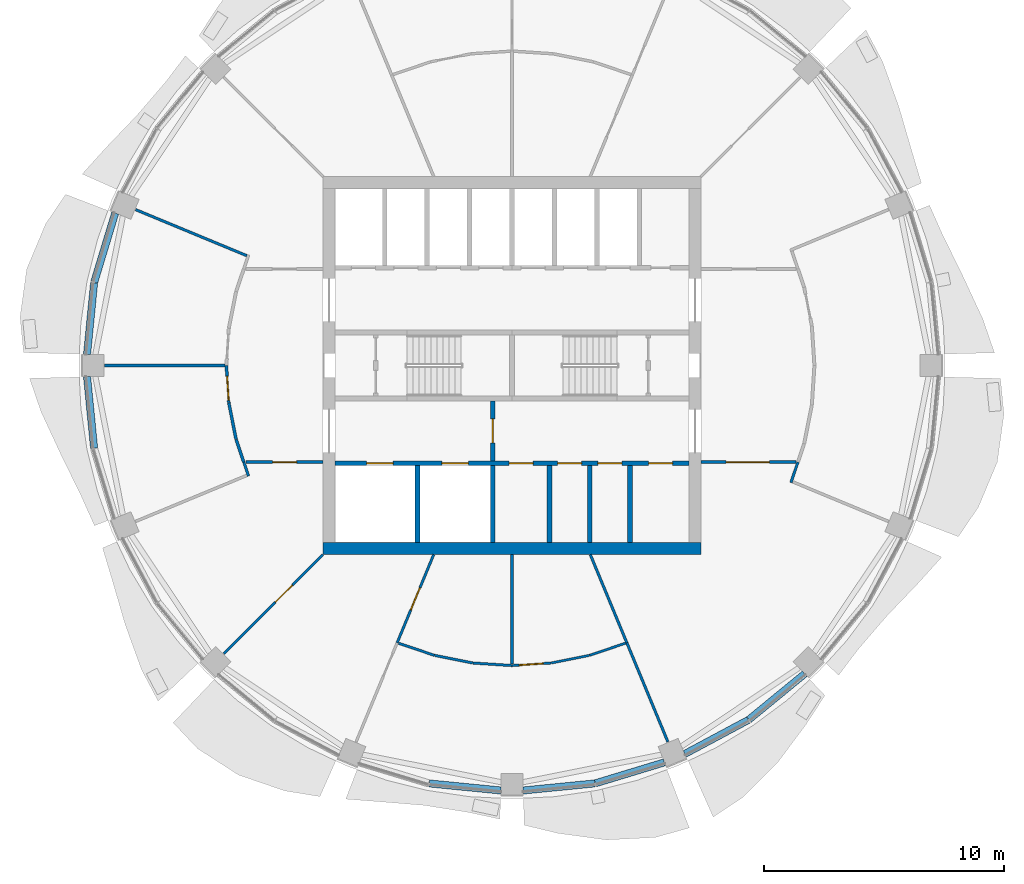
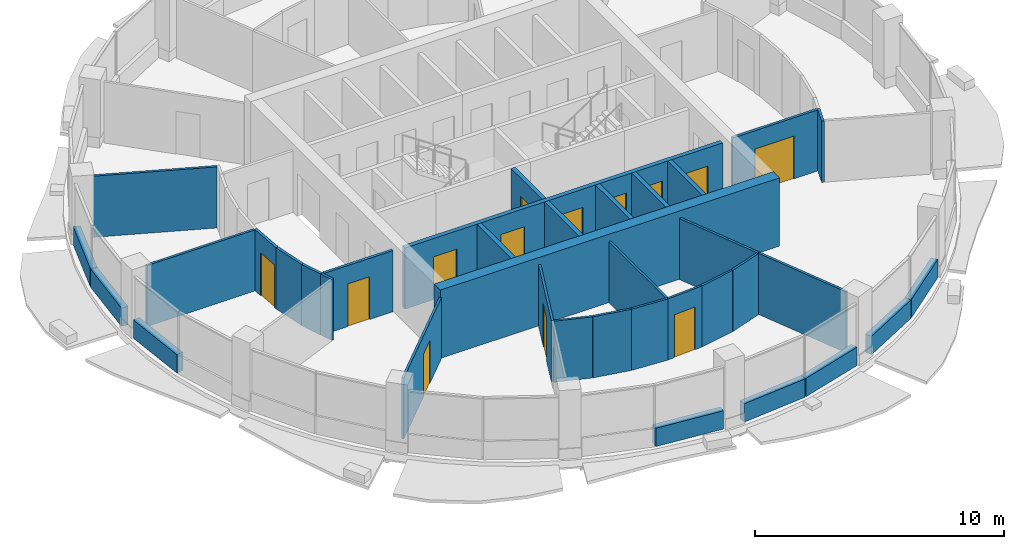
# One storey, part 8 of 15: 36 walls, 13 doors, 13 openings.
"""IFC4 building model written with IfcOpenShell, lengths in metres."""

import ifcopenshell
import ifcopenshell.guid

model = None  # the IFC model being written
_history = None  # IfcOwnerHistory: only IFC2X3 demands one
_inside = {}  # id of a spatial element -> (the spatial element, [elements in it])
_under = {}  # id of a project, library or spatial element -> (it, [spatial elements below it])
_declared = {}  # id of a project -> (the project, [libraries it declares])
_typed = {}  # id of a type object -> (the type object, [elements of that type])
_made_of = {}  # id of a material, layer set ... -> (it, [elements and type objects made of it])


def new_model(schema):
    """Start an empty IFC model of exactly this schema.

    Asked for "IFC4X3", IfcOpenShell would pick the latest addendum, in which some entities
    have other attributes; the version numbers below select the first issue.
    IFC2X3 requires an IfcOwnerHistory on every rooted entity: one is made here for all.
    """
    global model, _history
    if schema == "IFC4X3":
        model = ifcopenshell.file(schema_version=(4, 3, 0, 0))
    else:
        model = ifcopenshell.file(schema=schema)
    _inside.clear()
    _under.clear()
    _declared.clear()
    _typed.clear()
    _made_of.clear()
    _history = None
    if model.schema == "IFC2X3":
        org = make("IfcOrganization", Name="unknown")
        user = make(
            "IfcPersonAndOrganization",
            ThePerson=make("IfcPerson", FamilyName="unknown"),
            TheOrganization=org,
        )
        app = make(
            "IfcApplication",
            ApplicationDeveloper=org,
            Version="unknown",
            ApplicationFullName="unknown",
            ApplicationIdentifier="unknown",
        )
        _history = make(
            "IfcOwnerHistory",
            OwningUser=user,
            OwningApplication=app,
            ChangeAction="ADDED",
            CreationDate=0,
        )
    return model


def make(cls, **values):
    """One entity of the class cls with the attributes given. An attribute that is None is left unset."""
    return model.create_entity(
        cls, **{name: value for name, value in values.items() if value is not None}
    )


def rooted(cls, **values):
    """An entity with a GlobalId (a new one), such as an element, a storey or a relation."""
    return make(cls, GlobalId=ifcopenshell.guid.new(), OwnerHistory=_history, **values)


def si_unit(unit_type, name, prefix=None):
    """IfcSIUnit, for example si_unit("LENGTHUNIT", "METRE", prefix="MILLI")."""
    return make("IfcSIUnit", UnitType=unit_type, Prefix=prefix, Name=name)


def assignment(units):
    """IfcUnitAssignment: the units of a project."""
    return None if units is None else make("IfcUnitAssignment", Units=units)


def point(xyz):
    """IfcCartesianPoint."""
    return None if xyz is None else make("IfcCartesianPoint", Coordinates=xyz)


def direction(xyz):
    """IfcDirection."""
    return None if xyz is None else make("IfcDirection", DirectionRatios=xyz)


def frame(location, z_axis=None, x_axis=None):
    """IfcAxis2Placement3D, a coordinate frame: its origin and axes. An axis left out is left unset."""
    return make(
        "IfcAxis2Placement3D",
        Location=point(location),
        Axis=direction(z_axis),
        RefDirection=direction(x_axis),
    )


def frame_2d(location, x_axis=None):
    """IfcAxis2Placement2D, a coordinate frame in the plane: its origin and x axis."""
    return make(
        "IfcAxis2Placement2D", Location=point(location), RefDirection=direction(x_axis)
    )


def origin():
    """The frame at (0, 0, 0) with its axes left unset."""
    return frame((0.0, 0.0, 0.0))


def place(relative_to, where):
    """IfcLocalPlacement: puts the frame where relative to a parent placement (None: the world)."""
    return make(
        "IfcLocalPlacement", PlacementRelTo=relative_to, RelativePlacement=where
    )


def context(
    kind, dimensions, precision=None, world=None, true_north=None, identifier=None
):
    """IfcGeometricRepresentationContext, for example the 3D "Model" context."""
    return make(
        "IfcGeometricRepresentationContext",
        ContextIdentifier=identifier,
        ContextType=kind,
        CoordinateSpaceDimension=dimensions,
        Precision=precision,
        WorldCoordinateSystem=world,
        TrueNorth=true_north,
    )


def subcontext(parent, identifier, kind, view, scale=None):
    """IfcGeometricRepresentationSubContext, for example "Body" below "Model"."""
    return make(
        "IfcGeometricRepresentationSubContext",
        ContextIdentifier=identifier,
        ContextType=kind,
        ParentContext=parent,
        TargetScale=scale,
        TargetView=view,
    )


def project(units=None, contexts=None):
    """IfcProject with its units and contexts."""
    return rooted(
        "IfcProject",
        Name="project",
        RepresentationContexts=contexts,
        UnitsInContext=assignment(units),
    )


def spatial(cls, under=None, at=None, **own):
    """A site, building, storey or space (cls), placed at a placement, below another one or the project."""
    s = rooted(cls, ObjectPlacement=at, **own)
    if under is not None:
        _under.setdefault(under.id(), (under, []))[1].append(s)
    return s


def profile(cls, at=None, kind="AREA", **sizes):
    """A parametric profile (cls). Its sizes go by their IFC names, for example OverallWidth=200.0."""
    return make(cls, ProfileType=kind, Position=at, **sizes)


def rectangle(**sizes):
    """IfcRectangleProfileDef."""
    return profile("IfcRectangleProfileDef", **sizes)


def extrude(swept, where, along, depth):
    """IfcExtrudedAreaSolid: the profile swept, set in the frame where, extruded along a direction by depth."""
    return make(
        "IfcExtrudedAreaSolid",
        SweptArea=swept,
        Position=where,
        ExtrudedDirection=direction(along),
        Depth=depth,
    )


def shape(context_of_items, identifier, shape_type, items):
    """IfcShapeRepresentation: the items that make up one representation, for example the "Body"."""
    return make(
        "IfcShapeRepresentation",
        ContextOfItems=context_of_items,
        RepresentationIdentifier=identifier,
        RepresentationType=shape_type,
        Items=items,
    )


def material(Name=None, Category=None):
    """IfcMaterial."""
    return make("IfcMaterial", Name=Name, Category=Category)


def layer(
    of_material, thickness, ventilated=None, Name=None, Category=None, Priority=None
):
    """IfcMaterialLayer: one layer of a wall or slab, of a material (None: an air gap)."""
    return make(
        "IfcMaterialLayer",
        Material=of_material,
        LayerThickness=thickness,
        IsVentilated=ventilated,
        Name=Name,
        Category=Category,
        Priority=Priority,
    )


def layer_set(layers, Name=None):
    """IfcMaterialLayerSet."""
    return make("IfcMaterialLayerSet", MaterialLayers=layers, LayerSetName=Name)


def made_of(thing, what):
    """Note that an element or type object is made of a material, layer set ...; save() writes the relation."""
    if what is not None:
        _made_of.setdefault(what.id(), (what, []))[1].append(thing)
    return thing


def type_object(cls, material=None, **own):
    """A type object (cls), such as IfcWallType, which elements share."""
    return made_of(rooted(cls, **own), material)


def element(
    cls,
    number,
    at=None,
    inside=None,
    cuts=None,
    type_object=None,
    material=None,
    context=None,
    identifier="Body",
    shape_type=None,
    held_by="IfcProductDefinitionShape",
    body=None,
    shapes=None,
    **own,
):
    """One element of the class cls, such as IfcWall. Its Tag is "e" and its number.

    at: its placement. inside: the storey or other place that contains it. cuts: it is an
    opening in that element (IfcRelVoidsElement). A single representation is given by context,
    identifier, shape_type and body (its items); several are given by shapes. held_by: the class
    of the entity that holds the representations. save() writes the other relations.
    """
    e = rooted(cls, Tag="e%d" % number, ObjectPlacement=at, **own)
    if body is not None:
        shapes = [shape(context, identifier, shape_type, body)]
    if shapes is not None:
        e.Representation = make(held_by, Representations=shapes)
    if inside is not None:
        _inside.setdefault(inside.id(), (inside, []))[1].append(e)
    if cuts is not None:
        rooted(
            "IfcRelVoidsElement", RelatingBuildingElement=cuts, RelatedOpeningElement=e
        )
    if type_object is not None:
        _typed.setdefault(type_object.id(), (type_object, []))[1].append(e)
    return made_of(e, material)


def fill(opening, filler):
    """IfcRelFillsElement: the door or window that sits in an opening."""
    return rooted(
        "IfcRelFillsElement",
        RelatingOpeningElement=opening,
        RelatedBuildingElement=filler,
    )


def aggregate(whole, parts):
    """IfcRelAggregates: a whole, such as a stair, and the parts it consists of."""
    return rooted("IfcRelAggregates", RelatingObject=whole, RelatedObjects=parts)


def save(model, path):
    """Write the relations noted so far, then the file.

    IfcRelAggregates (storeys below a building ...), IfcRelContainedInSpatialStructure (elements
    in a storey), IfcRelDefinesByType, IfcRelAssociatesMaterial and IfcRelDeclares: one each for
    every whole, place, type object, material and project.
    """
    for whole, parts in _under.values():
        aggregate(whole, parts)
    for where, things in _inside.values():
        rooted(
            "IfcRelContainedInSpatialStructure",
            RelatedElements=things,
            RelatingStructure=where,
        )
    for kind, things in _typed.values():
        rooted("IfcRelDefinesByType", RelatedObjects=things, RelatingType=kind)
    for what, things in _made_of.values():
        rooted("IfcRelAssociatesMaterial", RelatedObjects=things, RelatingMaterial=what)
    for by, libraries in _declared.values():
        rooted("IfcRelDeclares", RelatingContext=by, RelatedDefinitions=libraries)
    model.write(path)


model = new_model("IFC4")

# Units and contexts
model_context = context("Model", 3, precision=1e-05, world=origin(), true_north=direction((0.0, 1.0)))
body_context = subcontext(model_context, "Body", "Model", "MODEL_VIEW")
ifc_project = project(units=[si_unit("LENGTHUNIT", "METRE"), si_unit("AREAUNIT", "SQUARE_METRE"), si_unit("VOLUMEUNIT", "CUBIC_METRE"), si_unit("PLANEANGLEUNIT", "RADIAN"), si_unit("MASSUNIT", "GRAM", prefix="KILO")], contexts=[model_context])

# Site, building, storey
site_placement = place(None, origin())
site = spatial("IfcSite", under=ifc_project, at=site_placement, CompositionType="ELEMENT")
building_placement = place(site_placement, origin())
building = spatial("IfcBuilding", under=site, at=building_placement, Name="Polderwave Tower", CompositionType="ELEMENT")
storey_placement = place(building_placement, frame((0.0, 0.0, 187.64990234375)))
storey = spatial("IfcBuildingStorey", under=building, at=storey_placement, Name="L50", CompositionType="ELEMENT", Elevation=187.64990234375)

# Walls
ifc_material_1 = material(Name="Concrete C60/75", Category="concrete")
ifc_layer_1 = layer(ifc_material_1, 0.5)
ifc_layer_set_1 = layer_set([ifc_layer_1], Name="CORE WALL 500 C60/75")
wall_type_1 = type_object("IfcWallType", Name="CORE WALL 500 C60/75", PredefinedType="SHEAR", material=ifc_layer_set_1)
wall_1_placement = place(storey_placement, frame((-7.8740234375, -7.6240234375, 0.0), z_axis=(0.0, 0.0, 1.0), x_axis=(1.0, 0.0, 0.0)))
element("IfcWall", 1, at=wall_1_placement, inside=storey, type_object=wall_type_1, Name="ST-CORE-L50-S", PredefinedType="SHEAR", context=body_context, shape_type="SweptSolid", body=[
    extrude(rectangle(XDim=15.748046875, YDim=0.5, at=frame_2d((7.8740234375, 0.0))), origin(), (0.0, 0.0, 1.0), 3.35009765625),
])
ifc_material_2 = material(Name="Concrete C50/60 (board-marked)", Category="concrete")
ifc_layer_2 = layer(ifc_material_2, 0.300048828125)
ifc_layer_set_2 = layer_set([ifc_layer_2], Name="Concrete spandrel upstand C50/60")
wall_type_2 = type_object("IfcWallType", Name="Concrete spandrel upstand C50/60", PredefinedType="SOLIDWALL", material=ifc_layer_set_2)
wall_2_placement = place(storey_placement, frame((-16.533447265625, 6.3466796875, 0.0), z_axis=(0.0, 0.0, 1.0), x_axis=(-0.290490921835, -0.95687774785, 0.0)))
element("IfcWall", 2, at=wall_2_placement, inside=storey, type_object=wall_type_2, Name="Spandrel L50 8a", PredefinedType="SOLIDWALL", context=body_context, shape_type="SweptSolid", body=[
    extrude(rectangle(XDim=2.998779296875, YDim=0.300048828125, at=frame_2d((1.49951171875, 0.0))), origin(), (0.0, 0.0, 1.0), 0.900146484375),
])
for number, where, z_axis, x_axis, name in (
    (3, (-17.410400390625, 3.447998046875, 0.0), (0.0, 0.0, 1.0), (-0.098109030901, -0.995175671957, 0.0), "Spandrel L50 8b"),
    (4, (-17.70458984375, -0.4638671875, 0.0), (0.0, 0.0, 1.0), (0.098109030901, -0.995175671957, 0.0), "Spandrel L50 9a"),
    (5, (-3.447998046875, -17.410400390625, 0.0), (0.0, 0.0, 1.0), (0.995175671957, -0.098109030901, 0.0), "Spandrel L50 12b"),
    (6, (0.4638671875, -17.70458984375, 0.0), (0.0, 0.0, 1.0), (0.995175671957, 0.098109030901, 0.0), "Spandrel L50 13a"),
):
    element("IfcWall", number, at=place(storey_placement, frame(where, z_axis=z_axis, x_axis=x_axis)), inside=storey, type_object=wall_type_2, Name=name, PredefinedType="SOLIDWALL", context=body_context, shape_type="SweptSolid", body=[
        extrude(rectangle(XDim=2.99853515625, YDim=0.300048828125, at=frame_2d((1.499267578125, 0.0))), origin(), (0.0, 0.0, 1.0), 0.900146484375),
    ])
wall_3_placement = place(storey_placement, frame((3.477294921875, -17.404541015625, 0.0), z_axis=(0.0, 0.0, 1.0), x_axis=(0.95687774785, 0.290490921835, 0.0)))
element("IfcWall", 7, at=wall_3_placement, inside=storey, type_object=wall_type_2, Name="Spandrel L50 13b", PredefinedType="SOLIDWALL", context=body_context, shape_type="SweptSolid", body=[
    extrude(rectangle(XDim=2.998779296875, YDim=0.300048828125, at=frame_2d((1.49951171875, 0.0))), origin(), (0.0, 0.0, 1.0), 0.900146484375),
])
wall_4_placement = place(storey_placement, frame((7.2041015625, -16.178955078125, 0.0), z_axis=(0.0, 0.0, 1.0), x_axis=(0.881827169278, 0.471572734074, 0.0)))
element("IfcWall", 8, at=wall_4_placement, inside=storey, type_object=wall_type_2, Name="Spandrel L50 14a", PredefinedType="SOLIDWALL", context=body_context, shape_type="SweptSolid", body=[
    extrude(rectangle(XDim=2.998046875, YDim=0.300048828125, at=frame_2d((1.4990234375, 0.0))), origin(), (0.0, 0.0, 1.0), 0.900146484375),
])
wall_5_placement = place(storey_placement, frame((9.87255859375, -14.74853515625, 0.0), z_axis=(0.0, 0.0, 1.0), x_axis=(0.773162410012, 0.634208079217, 0.0)))
element("IfcWall", 9, at=wall_5_placement, inside=storey, type_object=wall_type_2, Name="Spandrel L50 14b", PredefinedType="SOLIDWALL", context=body_context, shape_type="SweptSolid", body=[
    extrude(rectangle(XDim=2.999267578125, YDim=0.300048828125, at=frame_2d((1.49951171875, 0.0))), origin(), (0.0, 0.0, 1.0), 0.900146484375),
])

# Wall, opening, door
ifc_material_3 = material(Name="Gypsum board partition")
ifc_layer_3 = layer(ifc_material_3, 0.199951171875)
ifc_layer_set_3 = layer_set([ifc_layer_3], Name="Core room partition 200")
wall_type_3 = type_object("IfcWallType", Name="Core room partition 200", PredefinedType="PARTITIONING", material=ifc_layer_set_3)
wall_6_placement = place(storey_placement, frame((-0.800048828125, -3.97412109375, 0.0), z_axis=(0.0, 0.0, 1.0), x_axis=(0.0, 1.0, 0.0)))
wall_6 = element("IfcWall", 10, at=wall_6_placement, inside=storey, type_object=wall_type_3, Name="L50 fire-fighting lobby wall", PredefinedType="PARTITIONING", context=body_context, shape_type="SweptSolid", body=[
    extrude(rectangle(XDim=2.4990234375, YDim=0.199951171875, at=frame_2d((1.24951171875, 0.0))), origin(), (0.0, 0.0, 1.0), 3.0),
])
opening_1_placement = place(wall_6_placement, frame((0.74951171875, 0.0, 0.0)))
opening_1 = element("IfcOpeningElement", 11, at=opening_1_placement, cuts=wall_6, Name="Opening L50-D14", PredefinedType="OPENING", context=body_context, shape_type="SweptSolid", body=[
    extrude(rectangle(XDim=1.0, YDim=2.10009765625, at=frame_2d((0.5, 1.050048828125))), frame((0.0, 0.10986328125, 0.0), z_axis=(0.0, -1.0, 0.0), x_axis=(1.0, 0.0, 0.0)), (0.0, 0.0, 1.0), 0.219970703125),
])
ifc_material_4 = material(Name="Steel fire door", Category="steel")
door_type_1 = type_object("IfcDoorType", Name="Lobby fire door 1000", OperationType="NOTDEFINED", PredefinedType="DOOR", material=ifc_material_4)
door_1_placement = place(opening_1_placement, frame((1.0, 0.0, 0.0), z_axis=(0.0, 0.0, 1.0), x_axis=(-1.0, 0.0, 0.0)))
door_1 = element("IfcDoor", 12, at=door_1_placement, inside=storey, type_object=door_type_1, Name="Fire-fighting lobby door", OperationType="SINGLE_SWING_LEFT", OverallHeight=2.10009765625, OverallWidth=1.0, PredefinedType="DOOR", context=body_context, shape_type="SweptSolid", body=[
    extrude(rectangle(XDim=1.0, YDim=2.10009765625, at=frame_2d((0.5, 1.050048828125))), frame((0.0, 0.02490234375, 0.0), z_axis=(0.0, -1.0, 0.0), x_axis=(1.0, 0.0, 0.0)), (0.0, 0.0, 1.0), 0.050048828125),
])
fill(opening_1, door_1)

# Walls
for number, where, z_axis, x_axis, name in (
    (13, (1.5634765625, -7.3740234375, 0.0), (0.0, 0.0, 1.0), (0.0, 1.0, 0.0), "L50 room partition S1"),
    (14, (3.23876953125, -7.3740234375, 0.0), (0.0, 0.0, 1.0), (0.0, 1.0, 0.0), "L50 room partition S2"),
    (15, (4.913818359375, -7.3740234375, 0.0), (0.0, 0.0, 1.0), (0.0, 1.0, 0.0), "L50 room partition S3"),
):
    element("IfcWall", number, at=place(storey_placement, frame(where, z_axis=z_axis, x_axis=x_axis)), inside=storey, type_object=wall_type_3, Name=name, PredefinedType="PARTITIONING", context=body_context, shape_type="SweptSolid", body=[
        extrude(rectangle(XDim=3.199951171875, YDim=0.199951171875, at=frame_2d((1.60009765625, 0.0))), origin(), (0.0, 0.0, 1.0), 3.0),
    ])

# Wall, openings, doors
ifc_material_5 = material(Name="Concrete C50/60", Category="concrete")
ifc_layer_4 = layer(ifc_material_5, 0.199951171875)
ifc_layer_set_4 = layer_set([ifc_layer_4], Name="Core web wall 200")
wall_type_4 = type_object("IfcWallType", Name="Core web wall 200", PredefinedType="SHEAR", material=ifc_layer_set_4)
wall_7_placement = place(storey_placement, frame((-7.3740234375, -4.073974609375, 0.0), z_axis=(0.0, 0.0, 1.0), x_axis=(1.0, 0.0, 0.0)))
wall_7 = element("IfcWall", 16, at=wall_7_placement, inside=storey, type_object=wall_type_4, Name="L50 south front wall", PredefinedType="SHEAR", context=body_context, shape_type="SweptSolid", body=[
    extrude(rectangle(XDim=14.748046875, YDim=0.199951171875, at=frame_2d((7.3740234375, 0.0))), origin(), (0.0, 0.0, 1.0), 3.0),
])
opening_2_placement = place(wall_7_placement, frame((1.318603515625, 0.0, 0.0)))
opening_2 = element("IfcOpeningElement", 17, at=opening_2_placement, cuts=wall_7, Name="Opening L50-D01", PredefinedType="OPENING", context=body_context, shape_type="SweptSolid", body=[
    extrude(rectangle(XDim=1.10009765625, YDim=2.10009765625, at=frame_2d((0.550048828125, 1.050048828125))), frame((0.0, 0.10986328125, 0.0), z_axis=(0.0, -1.0, 0.0), x_axis=(1.0, 0.0, 0.0)), (0.0, 0.0, 1.0), 0.219970703125),
])
opening_3_placement = place(wall_7_placement, frame((4.45556640625, 0.0, 0.0)))
opening_3 = element("IfcOpeningElement", 18, at=opening_3_placement, cuts=wall_7, Name="Opening L50-D02", PredefinedType="OPENING", context=body_context, shape_type="SweptSolid", body=[
    extrude(rectangle(XDim=1.10009765625, YDim=2.10009765625, at=frame_2d((0.550048828125, 1.050048828125))), frame((0.0, 0.10986328125, 0.0), z_axis=(0.0, -1.0, 0.0), x_axis=(1.0, 0.0, 0.0)), (0.0, 0.0, 1.0), 0.219970703125),
])
opening_4_placement = place(wall_7_placement, frame((7.255859375, 0.0, 0.0)))
opening_4 = element("IfcOpeningElement", 19, at=opening_4_placement, cuts=wall_7, Name="Opening L50-D15", PredefinedType="OPENING", context=body_context, shape_type="SweptSolid", body=[
    extrude(rectangle(XDim=1.0, YDim=2.10009765625, at=frame_2d((0.5, 1.050048828125))), frame((0.0, 0.10986328125, 0.0), z_axis=(0.0, -1.0, 0.0), x_axis=(1.0, 0.0, 0.0)), (0.0, 0.0, 1.0), 0.219970703125),
])
opening_5_placement = place(wall_7_placement, frame((9.275146484375, 0.0, 0.0)))
opening_5 = element("IfcOpeningElement", 20, at=opening_5_placement, cuts=wall_7, Name="Opening L50-D16", PredefinedType="OPENING", context=body_context, shape_type="SweptSolid", body=[
    extrude(rectangle(XDim=1.0, YDim=2.10009765625, at=frame_2d((0.5, 1.050048828125))), frame((0.0, 0.10986328125, 0.0), z_axis=(0.0, -1.0, 0.0), x_axis=(1.0, 0.0, 0.0)), (0.0, 0.0, 1.0), 0.219970703125),
])
opening_6_placement = place(wall_7_placement, frame((10.9501953125, 0.0, 0.0)))
opening_6 = element("IfcOpeningElement", 21, at=opening_6_placement, cuts=wall_7, Name="Opening L50-D17", PredefinedType="OPENING", context=body_context, shape_type="SweptSolid", body=[
    extrude(rectangle(XDim=1.0, YDim=2.10009765625, at=frame_2d((0.5, 1.050048828125))), frame((0.0, 0.10986328125, 0.0), z_axis=(0.0, -1.0, 0.0), x_axis=(1.0, 0.0, 0.0)), (0.0, 0.0, 1.0), 0.219970703125),
])
opening_7_placement = place(wall_7_placement, frame((13.06787109375, 0.0, 0.0)))
opening_7 = element("IfcOpeningElement", 22, at=opening_7_placement, cuts=wall_7, Name="Opening L50-D18", PredefinedType="OPENING", context=body_context, shape_type="SweptSolid", body=[
    extrude(rectangle(XDim=1.0, YDim=2.10009765625, at=frame_2d((0.5, 1.050048828125))), frame((0.0, 0.10986328125, 0.0), z_axis=(0.0, -1.0, 0.0), x_axis=(1.0, 0.0, 0.0)), (0.0, 0.0, 1.0), 0.219970703125),
])
ifc_material_6 = material(Name="Timber door leaf", Category="wood")
door_type_2 = type_object("IfcDoorType", Name="Accessible WC door 1000", OperationType="NOTDEFINED", PredefinedType="DOOR", material=ifc_material_6)
door_2_placement = place(opening_4_placement, frame((1.0, 0.0, 0.0), z_axis=(0.0, 0.0, 1.0), x_axis=(-1.0, 0.0, 0.0)))
door_2 = element("IfcDoor", 23, at=door_2_placement, inside=storey, type_object=door_type_2, Name="Accessible WC door", OperationType="SINGLE_SWING_LEFT", OverallHeight=2.10009765625, OverallWidth=1.0, PredefinedType="DOOR", context=body_context, shape_type="SweptSolid", body=[
    extrude(rectangle(XDim=1.0, YDim=2.10009765625, at=frame_2d((0.5, 1.050048828125))), frame((0.0, 0.02490234375, 0.0), z_axis=(0.0, -1.0, 0.0), x_axis=(1.0, 0.0, 0.0)), (0.0, 0.0, 1.0), 0.050048828125),
])
fill(opening_4, door_2)
ifc_material_7 = material(Name="Stainless steel", Category="steel")
door_type_3 = type_object("IfcDoorType", Name="Fire-fighting lift landing door 1100", OperationType="DOUBLE_DOOR_SLIDING", PredefinedType="DOOR", material=ifc_material_7)
door_3_placement = place(opening_2_placement, origin())
door_3 = element("IfcDoor", 24, at=door_3_placement, inside=storey, type_object=door_type_3, Name="Fire-fighting lift FF1 landing door", OperationType="DOUBLE_DOOR_SLIDING", OverallHeight=2.10009765625, OverallWidth=1.10009765625, PredefinedType="DOOR", context=body_context, shape_type="SweptSolid", body=[
    extrude(rectangle(XDim=1.10009765625, YDim=2.10009765625, at=frame_2d((0.550048828125, 1.050048828125))), frame((0.0, 0.02490234375, 0.0), z_axis=(0.0, -1.0, 0.0), x_axis=(1.0, 0.0, 0.0)), (0.0, 0.0, 1.0), 0.050048828125),
])
fill(opening_2, door_3)
door_4_placement = place(opening_3_placement, origin())
door_4 = element("IfcDoor", 25, at=door_4_placement, inside=storey, type_object=door_type_3, Name="Fire-fighting lift FF2 landing door", OperationType="DOUBLE_DOOR_SLIDING", OverallHeight=2.10009765625, OverallWidth=1.10009765625, PredefinedType="DOOR", context=body_context, shape_type="SweptSolid", body=[
    extrude(rectangle(XDim=1.10009765625, YDim=2.10009765625, at=frame_2d((0.550048828125, 1.050048828125))), frame((0.0, 0.02490234375, 0.0), z_axis=(0.0, -1.0, 0.0), x_axis=(1.0, 0.0, 0.0)), (0.0, 0.0, 1.0), 0.050048828125),
])
fill(opening_3, door_4)
door_type_4 = type_object("IfcDoorType", Name="Room door 1000", OperationType="NOTDEFINED", PredefinedType="DOOR", material=ifc_material_6)
door_5_placement = place(opening_5_placement, frame((1.0, 0.0, 0.0), z_axis=(0.0, 0.0, 1.0), x_axis=(-1.0, 0.0, 0.0)))
door_5 = element("IfcDoor", 26, at=door_5_placement, inside=storey, type_object=door_type_4, Name="Staff WC door", OperationType="SINGLE_SWING_LEFT", OverallHeight=2.10009765625, OverallWidth=1.0, PredefinedType="DOOR", context=body_context, shape_type="SweptSolid", body=[
    extrude(rectangle(XDim=1.0, YDim=2.10009765625, at=frame_2d((0.5, 1.050048828125))), frame((0.0, 0.02490234375, 0.0), z_axis=(0.0, -1.0, 0.0), x_axis=(1.0, 0.0, 0.0)), (0.0, 0.0, 1.0), 0.050048828125),
])
fill(opening_5, door_5)
door_6_placement = place(opening_6_placement, frame((1.0, 0.0, 0.0), z_axis=(0.0, 0.0, 1.0), x_axis=(-1.0, 0.0, 0.0)))
door_6 = element("IfcDoor", 27, at=door_6_placement, inside=storey, type_object=door_type_4, Name="Cleaner's store door", OperationType="SINGLE_SWING_LEFT", OverallHeight=2.10009765625, OverallWidth=1.0, PredefinedType="DOOR", context=body_context, shape_type="SweptSolid", body=[
    extrude(rectangle(XDim=1.0, YDim=2.10009765625, at=frame_2d((0.5, 1.050048828125))), frame((0.0, 0.02490234375, 0.0), z_axis=(0.0, -1.0, 0.0), x_axis=(1.0, 0.0, 0.0)), (0.0, 0.0, 1.0), 0.050048828125),
])
fill(opening_6, door_6)
door_7_placement = place(opening_7_placement, frame((1.0, 0.0, 0.0), z_axis=(0.0, 0.0, 1.0), x_axis=(-1.0, 0.0, 0.0)))
door_7 = element("IfcDoor", 28, at=door_7_placement, inside=storey, type_object=door_type_4, Name="IT room door", OperationType="SINGLE_SWING_LEFT", OverallHeight=2.10009765625, OverallWidth=1.0, PredefinedType="DOOR", context=body_context, shape_type="SweptSolid", body=[
    extrude(rectangle(XDim=1.0, YDim=2.10009765625, at=frame_2d((0.5, 1.050048828125))), frame((0.0, 0.02490234375, 0.0), z_axis=(0.0, -1.0, 0.0), x_axis=(1.0, 0.0, 0.0)), (0.0, 0.0, 1.0), 0.050048828125),
])
fill(opening_7, door_7)

# Wall, opening, door
ifc_material_8 = material(Name="Fire-resisting board on steel studs", Category="steel")
ifc_layer_5 = layer(ifc_material_8, 0.125)
ifc_layer_set_5 = layer_set([ifc_layer_5], Name="Corridor wall 125 mm EI 60")
wall_type_5 = type_object("IfcWallType", Name="Corridor wall 125 mm EI 60", PredefinedType="PARTITIONING", material=ifc_layer_set_5)
wall_8_placement = place(storey_placement, frame((11.82421875, -4.0244140625, 0.0), z_axis=(0.0, 0.0, 1.0), x_axis=(-1.0, 0.0, 0.0)))
wall_8 = element("IfcWall", 29, at=wall_8_placement, inside=storey, type_object=wall_type_5, Name="IN-L50-W008", PredefinedType="PARTITIONING", context=body_context, shape_type="SweptSolid", body=[
    extrude(rectangle(XDim=3.9501953125, YDim=0.125, at=frame_2d((1.97509765625, 0.0))), origin(), (0.0, 0.0, 1.0), 3.0),
])
opening_8_placement = place(wall_8_placement, frame((1.10009765625, 0.0, 0.0)))
opening_8 = element("IfcOpeningElement", 30, at=opening_8_placement, cuts=wall_8, Name="Opening L50-D52", PredefinedType="OPENING", context=body_context, shape_type="SweptSolid", body=[
    extrude(rectangle(XDim=1.800048828125, YDim=2.10009765625, at=frame_2d((0.89990234375, 1.050048828125))), frame((0.0, 0.072509765625, 0.0), z_axis=(0.0, -1.0, 0.0), x_axis=(1.0, 0.0, 0.0)), (0.0, 0.0, 1.0), 0.14501953125),
])
ifc_material_9 = material(Name="Timber fire door leaves", Category="wood")
door_type_5 = type_object("IfcDoorType", Name="Double fire door FD30S 1800 x 2100", OperationType="NOTDEFINED", PredefinedType="DOOR", material=ifc_material_9)
door_8_placement = place(opening_8_placement, origin())
door_8 = element("IfcDoor", 31, at=door_8_placement, inside=storey, type_object=door_type_5, Name="Door L50-D52", OperationType="DOUBLE_DOOR_SINGLE_SWING", OverallHeight=2.10009765625, OverallWidth=1.800048828125, PredefinedType="DOOR", context=body_context, shape_type="SweptSolid", body=[
    extrude(rectangle(XDim=1.800048828125, YDim=2.10009765625, at=frame_2d((0.89990234375, 1.050048828125))), frame((0.0, 0.02490234375, 0.0), z_axis=(0.0, -1.0, 0.0), x_axis=(1.0, 0.0, 0.0)), (0.0, 0.0, 1.0), 0.050048828125),
])
fill(opening_8, door_8)

wall_9_placement = place(storey_placement, frame((-11.798583984375, -1.54931640625, 0.0), z_axis=(0.0, 0.0, 1.0), x_axis=(-0.065256137235, 0.99786854673, 0.0)))
wall_9 = element("IfcWall", 32, at=wall_9_placement, inside=storey, type_object=wall_type_5, Name="IN-L50-W013", PredefinedType="PARTITIONING", context=body_context, shape_type="SweptSolid", body=[
    extrude(rectangle(XDim=1.552734375, YDim=0.125, at=frame_2d((0.7763671875, 0.0))), origin(), (0.0, 0.0, 1.0), 3.0),
])
opening_9_placement = place(wall_9_placement, frame((0.10009765625, 0.0, 0.0)))
opening_9 = element("IfcOpeningElement", 33, at=opening_9_placement, cuts=wall_9, Name="Opening L50-D55", PredefinedType="OPENING", context=body_context, shape_type="SweptSolid", body=[
    extrude(rectangle(XDim=1.0, YDim=2.10009765625, at=frame_2d((0.5, 1.050048828125))), frame((0.0, 0.072509765625, 0.0), z_axis=(0.0, -1.0, 0.0), x_axis=(1.0, 0.0, 0.0)), (0.0, 0.0, 1.0), 0.14501953125),
])
ifc_material_10 = material(Name="Timber fire door leaf", Category="wood")
door_type_6 = type_object("IfcDoorType", Name="Fire door FD30S 1000 x 2100", OperationType="NOTDEFINED", PredefinedType="DOOR", material=ifc_material_10)
door_9_placement = place(opening_9_placement, origin())
door_9 = element("IfcDoor", 34, at=door_9_placement, inside=storey, type_object=door_type_6, Name="Door L50-D55", OperationType="SINGLE_SWING_LEFT", OverallHeight=2.10009765625, OverallWidth=1.0, PredefinedType="DOOR", context=body_context, shape_type="SweptSolid", body=[
    extrude(rectangle(XDim=1.0, YDim=2.10009765625, at=frame_2d((0.5, 1.050048828125))), frame((0.0, 0.02490234375, 0.0), z_axis=(0.0, -1.0, 0.0), x_axis=(1.0, 0.0, 0.0)), (0.0, 0.0, 1.0), 0.050048828125),
])
fill(opening_9, door_9)

# Walls
wall_10_placement = place(storey_placement, frame((-11.495361328125, -3.075927734375, 0.0), z_axis=(0.0, 0.0, 1.0), x_axis=(-0.195054687935, 0.98079236779, 0.0)))
element("IfcWall", 35, at=wall_10_placement, inside=storey, type_object=wall_type_5, Name="IN-L50-W014", PredefinedType="PARTITIONING", context=body_context, shape_type="SweptSolid", body=[
    extrude(rectangle(XDim=1.54833984375, YDim=0.125, at=frame_2d((0.774169921875, 0.0))), origin(), (0.0, 0.0, 1.0), 3.0),
])
wall_11_placement = place(storey_placement, frame((-11.173828125, -4.0244140625, 0.0), z_axis=(0.0, 0.0, 1.0), x_axis=(-0.321457698768, 0.946923939872, 0.0)))
element("IfcWall", 36, at=wall_11_placement, inside=storey, type_object=wall_type_5, Name="IN-L50-W015", PredefinedType="PARTITIONING", context=body_context, shape_type="SweptSolid", body=[
    extrude(rectangle(XDim=0.993408203125, YDim=0.125, at=frame_2d((0.49658203125, 0.0))), origin(), (0.0, 0.0, 1.0), 3.0),
])

# Wall, opening, door
wall_12_placement = place(storey_placement, frame((-7.8740234375, -4.0244140625, 0.0), z_axis=(0.0, 0.0, 1.0), x_axis=(-1.0, 0.0, 0.0)))
wall_12 = element("IfcWall", 37, at=wall_12_placement, inside=storey, type_object=wall_type_5, Name="IN-L50-W016", PredefinedType="PARTITIONING", context=body_context, shape_type="SweptSolid", body=[
    extrude(rectangle(XDim=3.212646484375, YDim=0.125, at=frame_2d((1.6064453125, 0.0))), origin(), (0.0, 0.0, 1.0), 3.0),
])
opening_10_placement = place(wall_12_placement, frame((1.10009765625, 0.0, 0.0)))
opening_10 = element("IfcOpeningElement", 38, at=opening_10_placement, cuts=wall_12, Name="Opening L50-D56", PredefinedType="OPENING", context=body_context, shape_type="SweptSolid", body=[
    extrude(rectangle(XDim=1.0, YDim=2.10009765625, at=frame_2d((0.5, 1.050048828125))), frame((0.0, 0.072509765625, 0.0), z_axis=(0.0, -1.0, 0.0), x_axis=(1.0, 0.0, 0.0)), (0.0, 0.0, 1.0), 0.14501953125),
])
door_10_placement = place(opening_10_placement, origin())
door_10 = element("IfcDoor", 39, at=door_10_placement, inside=storey, type_object=door_type_6, Name="Door L50-D56", OperationType="SINGLE_SWING_LEFT", OverallHeight=2.10009765625, OverallWidth=1.0, PredefinedType="DOOR", context=body_context, shape_type="SweptSolid", body=[
    extrude(rectangle(XDim=1.0, YDim=2.10009765625, at=frame_2d((0.5, 1.050048828125))), frame((0.0, 0.02490234375, 0.0), z_axis=(0.0, -1.0, 0.0), x_axis=(1.0, 0.0, 0.0)), (0.0, 0.0, 1.0), 0.050048828125),
])
fill(opening_10, door_10)

ifc_material_11 = material(Name="Plasterboard on steel studs", Category="steel")
ifc_layer_6 = layer(ifc_material_11, 0.10009765625)
ifc_layer_set_6 = layer_set([ifc_layer_6], Name="Partition 100 mm plasterboard on steel studs")
wall_type_6 = type_object("IfcWallType", Name="Partition 100 mm plasterboard on steel studs", PredefinedType="PARTITIONING", material=ifc_layer_set_6)
wall_13_placement = place(storey_placement, frame((-7.8740234375, -7.8740234375, 0.0), z_axis=(0.0, 0.0, 1.0), x_axis=(-0.707106781187, -0.707106781187, 0.0)))
wall_13 = element("IfcWall", 40, at=wall_13_placement, inside=storey, type_object=wall_type_6, Name="IN-L50-W040", PredefinedType="PARTITIONING", context=body_context, shape_type="SweptSolid", body=[
    extrude(rectangle(XDim=5.834228515625, YDim=0.10009765625, at=frame_2d((2.9169921875, 0.0))), origin(), (0.0, 0.0, 1.0), 3.0),
])
opening_11_placement = place(wall_13_placement, frame((1.800048828125, 0.0, 0.0)))
opening_11 = element("IfcOpeningElement", 41, at=opening_11_placement, cuts=wall_13, Name="Opening L50-D63", PredefinedType="OPENING", context=body_context, shape_type="SweptSolid", body=[
    extrude(rectangle(XDim=1.0, YDim=2.10009765625, at=frame_2d((0.5, 1.050048828125))), frame((0.0, 0.06005859375, 0.0), z_axis=(0.0, -1.0, 0.0), x_axis=(1.0, 0.0, 0.0)), (0.0, 0.0, 1.0), 0.1201171875),
])
ifc_material_12 = material(Name="Timber veneer door leaf", Category="wood")
door_type_7 = type_object("IfcDoorType", Name="Single door 1000 x 2100", OperationType="NOTDEFINED", PredefinedType="DOOR", material=ifc_material_12)
door_11_placement = place(opening_11_placement, origin())
door_11 = element("IfcDoor", 42, at=door_11_placement, inside=storey, type_object=door_type_7, Name="Door L50-D63", OperationType="SINGLE_SWING_LEFT", OverallHeight=2.10009765625, OverallWidth=1.0, PredefinedType="DOOR", context=body_context, shape_type="SweptSolid", body=[
    extrude(rectangle(XDim=1.0, YDim=2.10009765625, at=frame_2d((0.5, 1.050048828125))), frame((0.0, 0.02490234375, 0.0), z_axis=(0.0, -1.0, 0.0), x_axis=(1.0, 0.0, 0.0)), (0.0, 0.0, 1.0), 0.050048828125),
])
fill(opening_11, door_11)

wall_14_placement = place(storey_placement, frame((0.0, -12.5, 0.0), z_axis=(0.0, 0.0, 1.0), x_axis=(0.997860630529, 0.065377075793, 0.0)))
wall_14 = element("IfcWall", 43, at=wall_14_placement, inside=storey, type_object=wall_type_6, Name="IN-L50-W047", PredefinedType="PARTITIONING", context=body_context, shape_type="SweptSolid", body=[
    extrude(rectangle(XDim=1.6318359375, YDim=0.10009765625, at=frame_2d((0.81591796875, 0.0))), origin(), (0.0, 0.0, 1.0), 3.0),
])
opening_12_placement = place(wall_14_placement, frame((0.300048828125, 0.0, 0.0)))
opening_12 = element("IfcOpeningElement", 44, at=opening_12_placement, cuts=wall_14, Name="Opening L50-D66", PredefinedType="OPENING", context=body_context, shape_type="SweptSolid", body=[
    extrude(rectangle(XDim=1.0, YDim=2.10009765625, at=frame_2d((0.5, 1.050048828125))), frame((0.0, 0.06005859375, 0.0), z_axis=(0.0, -1.0, 0.0), x_axis=(1.0, 0.0, 0.0)), (0.0, 0.0, 1.0), 0.1201171875),
])
door_12_placement = place(opening_12_placement, origin())
door_12 = element("IfcDoor", 45, at=door_12_placement, inside=storey, type_object=door_type_7, Name="Door L50-D66", OperationType="SINGLE_SWING_LEFT", OverallHeight=2.10009765625, OverallWidth=1.0, PredefinedType="DOOR", context=body_context, shape_type="SweptSolid", body=[
    extrude(rectangle(XDim=1.0, YDim=2.10009765625, at=frame_2d((0.5, 1.050048828125))), frame((0.0, 0.02490234375, 0.0), z_axis=(0.0, -1.0, 0.0), x_axis=(1.0, 0.0, 0.0)), (0.0, 0.0, 1.0), 0.050048828125),
])
fill(opening_12, door_12)

# Walls
wall_15_placement = place(storey_placement, frame((1.634765625, -12.392578125, 0.0), z_axis=(0.0, 0.0, 1.0), x_axis=(0.980764756379, 0.195193474902, 0.0)))
element("IfcWall", 46, at=wall_15_placement, inside=storey, type_object=wall_type_6, Name="IN-L50-W048", PredefinedType="PARTITIONING", context=body_context, shape_type="SweptSolid", body=[
    extrude(rectangle(XDim=1.62841796875, YDim=0.10009765625, at=frame_2d((0.814208984375, 0.0))), origin(), (0.0, 0.0, 1.0), 3.0),
])
wall_16_placement = place(storey_placement, frame((3.23828125, -12.072998046875, 0.0), z_axis=(0.0, 0.0, 1.0), x_axis=(0.946962681405, 0.321343554512, 0.0)))
element("IfcWall", 47, at=wall_16_placement, inside=storey, type_object=wall_type_6, Name="IN-L50-W049", PredefinedType="PARTITIONING", context=body_context, shape_type="SweptSolid", body=[
    extrude(rectangle(XDim=1.573486328125, YDim=0.10009765625, at=frame_2d((0.78662109375, 0.0))), origin(), (0.0, 0.0, 1.0), 3.0),
])

# Wall, opening, door
ifc_material_13 = material(Name="Moisture-resistant board on steel studs, tiled", Category="steel")
ifc_layer_7 = layer(ifc_material_13, 0.10498046875)
ifc_layer_set_7 = layer_set([ifc_layer_7], Name="Partition 105 mm wet room board and tile")
wall_type_7 = type_object("IfcWallType", Name="Partition 105 mm wet room board and tile", PredefinedType="PARTITIONING", material=ifc_layer_set_7)
wall_17_placement = place(storey_placement, frame((-3.261474609375, -7.8740234375, 0.0), z_axis=(0.0, 0.0, 1.0), x_axis=(-0.382666229821, -0.923886657851, 0.0)))
wall_17 = element("IfcWall", 48, at=wall_17_placement, inside=storey, type_object=wall_type_7, Name="IN-L50-W041", PredefinedType="PARTITIONING", context=body_context, shape_type="SweptSolid", body=[
    extrude(rectangle(XDim=3.977294921875, YDim=0.10498046875, at=frame_2d((1.98876953125, 0.0))), origin(), (0.0, 0.0, 1.0), 3.0),
])
opening_13_placement = place(wall_17_placement, frame((1.5, 0.0, 0.0)))
opening_13 = element("IfcOpeningElement", 49, at=opening_13_placement, cuts=wall_17, Name="Opening L50-D64", PredefinedType="OPENING", context=body_context, shape_type="SweptSolid", body=[
    extrude(rectangle(XDim=1.0, YDim=2.10009765625, at=frame_2d((0.5, 1.050048828125))), frame((0.0, 0.0625, 0.0), z_axis=(0.0, -1.0, 0.0), x_axis=(1.0, 0.0, 0.0)), (0.0, 0.0, 1.0), 0.125),
])
door_13_placement = place(opening_13_placement, origin())
door_13 = element("IfcDoor", 50, at=door_13_placement, inside=storey, type_object=door_type_7, Name="Door L50-D64", OperationType="SINGLE_SWING_RIGHT", OverallHeight=2.10009765625, OverallWidth=1.0, PredefinedType="DOOR", context=body_context, shape_type="SweptSolid", body=[
    extrude(rectangle(XDim=1.0, YDim=2.10009765625, at=frame_2d((0.5, 1.050048828125))), frame((0.0, 0.02490234375, 0.0), z_axis=(0.0, -1.0, 0.0), x_axis=(1.0, 0.0, 0.0)), (0.0, 0.0, 1.0), 0.050048828125),
])
fill(opening_13, door_13)

# Walls
wall_18_placement = place(storey_placement, frame((-3.238525390625, -12.072998046875, 0.0), z_axis=(0.0, 0.0, 1.0), x_axis=(-0.946902062217, 0.321522136982, 0.0)))
element("IfcWall", 51, at=wall_18_placement, inside=storey, type_object=wall_type_7, Name="IN-L50-W043", PredefinedType="PARTITIONING", context=body_context, shape_type="SweptSolid", body=[
    extrude(rectangle(XDim=1.57568359375, YDim=0.10498046875, at=frame_2d((0.787841796875, 0.0))), origin(), (0.0, 0.0, 1.0), 3.0),
])
wall_19_placement = place(storey_placement, frame((-1.635009765625, -12.392333984375, 0.0), z_axis=(0.0, 0.0, 1.0), x_axis=(-0.980782034379, 0.195106640172, 0.0)))
element("IfcWall", 52, at=wall_19_placement, inside=storey, type_object=wall_type_7, Name="IN-L50-W044", PredefinedType="PARTITIONING", context=body_context, shape_type="SweptSolid", body=[
    extrude(rectangle(XDim=1.6279296875, YDim=0.10498046875, at=frame_2d((0.81396484375, 0.0))), origin(), (0.0, 0.0, 1.0), 3.0),
])
wall_20_placement = place(storey_placement, frame((0.0, -12.5, 0.0), z_axis=(0.0, 0.0, 1.0), x_axis=(-0.997859990953, 0.065386837014, 0.0)))
element("IfcWall", 53, at=wall_20_placement, inside=storey, type_object=wall_type_7, Name="IN-L50-W045", PredefinedType="PARTITIONING", context=body_context, shape_type="SweptSolid", body=[
    extrude(rectangle(XDim=1.631591796875, YDim=0.10498046875, at=frame_2d((0.81591796875, 0.0))), origin(), (0.0, 0.0, 1.0), 3.0),
])
wall_21_placement = place(storey_placement, frame((0.0, -7.8740234375, 0.0), z_axis=(0.0, 0.0, 1.0), x_axis=(0.0, -1.0, 0.0)))
element("IfcWall", 54, at=wall_21_placement, inside=storey, type_object=wall_type_7, Name="IN-L50-W046", PredefinedType="PARTITIONING", context=body_context, shape_type="SweptSolid", body=[
    extrude(rectangle(XDim=4.56982421875, YDim=0.10498046875, at=frame_2d((2.284912109375, 0.0))), origin(), (0.0, 0.0, 1.0), 3.0),
])
ifc_material_14 = material(Name="Acoustic double plasterboard on steel studs", Category="steel")
ifc_layer_8 = layer(ifc_material_14, 0.110107421875)
ifc_layer_set_8 = layer_set([ifc_layer_8], Name="Partition 110 mm acoustic double board")
wall_type_8 = type_object("IfcWallType", Name="Partition 110 mm acoustic double board", PredefinedType="PARTITIONING", material=ifc_layer_set_8)
wall_22_placement = place(storey_placement, frame((11.623291015625, -4.873779296875, 0.0), z_axis=(0.0, 0.0, 1.0), x_axis=(0.321448894187, 0.946926928768, 0.0)))
element("IfcWall", 55, at=wall_22_placement, inside=storey, type_object=wall_type_8, Name="IN-L50-W019", PredefinedType="PARTITIONING", context=body_context, shape_type="SweptSolid", body=[
    extrude(rectangle(XDim=0.89697265625, YDim=0.110107421875, at=frame_2d((0.448486328125, 0.0))), origin(), (0.0, 0.0, 1.0), 3.0),
])
wall_23_placement = place(storey_placement, frame((-11.048583984375, 4.576416015625, 0.0), z_axis=(0.0, 0.0, 1.0), x_axis=(-0.923874912391, 0.382694586132, 0.0)))
element("IfcWall", 56, at=wall_23_placement, inside=storey, type_object=wall_type_8, Name="IN-L50-W036", PredefinedType="PARTITIONING", context=body_context, shape_type="SweptSolid", body=[
    extrude(rectangle(XDim=5.01123046875, YDim=0.110107421875, at=frame_2d((2.505615234375, 0.0))), origin(), (0.0, 0.0, 1.0), 3.0),
])
wall_24_placement = place(storey_placement, frame((-11.96630859375, 0.0, 0.0), z_axis=(0.0, 0.0, 1.0), x_axis=(-1.0, 0.0, 0.0)))
element("IfcWall", 57, at=wall_24_placement, inside=storey, type_object=wall_type_8, Name="IN-L50-W037", PredefinedType="PARTITIONING", context=body_context, shape_type="SweptSolid", body=[
    extrude(rectangle(XDim=5.003662109375, YDim=0.110107421875, at=frame_2d((2.501953125, 0.0))), origin(), (0.0, 0.0, 1.0), 3.0),
])
wall_25_placement = place(storey_placement, frame((-11.173828125, -4.0244140625, 0.0), z_axis=(0.0, 0.0, 1.0), x_axis=(0.321232679022, -0.947000298801, 0.0)))
element("IfcWall", 58, at=wall_25_placement, inside=storey, type_object=wall_type_8, Name="IN-L50-W038", PredefinedType="PARTITIONING", context=body_context, shape_type="SweptSolid", body=[
    extrude(rectangle(XDim=0.614013671875, YDim=0.110107421875, at=frame_2d((0.30712890625, 0.0))), origin(), (0.0, 0.0, 1.0), 3.0),
])
wall_26_placement = place(storey_placement, frame((4.783447265625, -11.548583984375, 0.0), z_axis=(0.0, 0.0, 1.0), x_axis=(0.382710359347, -0.92386837853, 0.0)))
element("IfcWall", 59, at=wall_26_placement, inside=storey, type_object=wall_type_8, Name="IN-L50-W050", PredefinedType="PARTITIONING", context=body_context, shape_type="SweptSolid", body=[
    extrude(rectangle(XDim=4.469970703125, YDim=0.110107421875, at=frame_2d((2.23486328125, 0.0))), origin(), (0.0, 0.0, 1.0), 3.0),
])
wall_27_placement = place(storey_placement, frame((3.261474609375, -7.8740234375, 0.0), z_axis=(0.0, 0.0, 1.0), x_axis=(0.382666229821, -0.923886657851, 0.0)))
element("IfcWall", 60, at=wall_27_placement, inside=storey, type_object=wall_type_8, Name="IN-L50-W051", PredefinedType="PARTITIONING", context=body_context, shape_type="SweptSolid", body=[
    extrude(rectangle(XDim=3.977294921875, YDim=0.110107421875, at=frame_2d((1.98876953125, 0.0))), origin(), (0.0, 0.0, 1.0), 3.0),
])
ifc_material_15 = material(Name="Gypsum shaft wall system")
ifc_layer_9 = layer(ifc_material_15, 0.199951171875)
ifc_layer_set_9 = layer_set([ifc_layer_9], Name="Shaft wall 200")
wall_type_9 = type_object("IfcWallType", Name="Shaft wall 200", PredefinedType="PARTITIONING", material=ifc_layer_set_9)
for number, where, z_axis, x_axis, name in (
    (61, (-3.93701171875, -7.3740234375, 0.0), (0.0, 0.0, 1.0), (0.0, 1.0, 0.0), "L50 fire-fighting shaft wall 1"),
    (62, (-0.800048828125, -7.3740234375, 0.0), (0.0, 0.0, 1.0), (0.0, 1.0, 0.0), "L50 fire-fighting shaft wall 2"),
):
    element("IfcWall", number, at=place(storey_placement, frame(where, z_axis=z_axis, x_axis=x_axis)), inside=storey, type_object=wall_type_9, Name=name, PredefinedType="PARTITIONING", context=body_context, shape_type="SweptSolid", body=[
        extrude(rectangle(XDim=3.199951171875, YDim=0.199951171875, at=frame_2d((1.60009765625, 0.0))), origin(), (0.0, 0.0, 1.0), 3.0),
    ])

save(model, "model.ifc")
